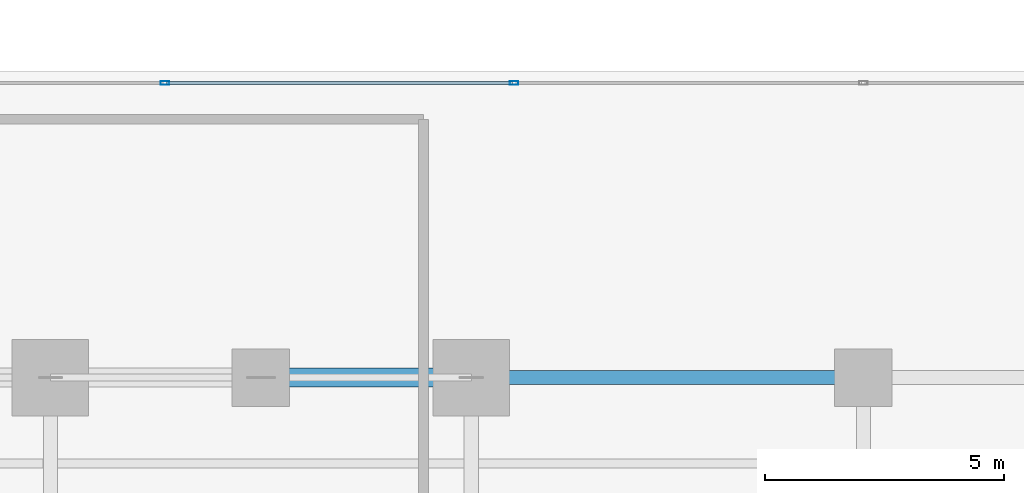
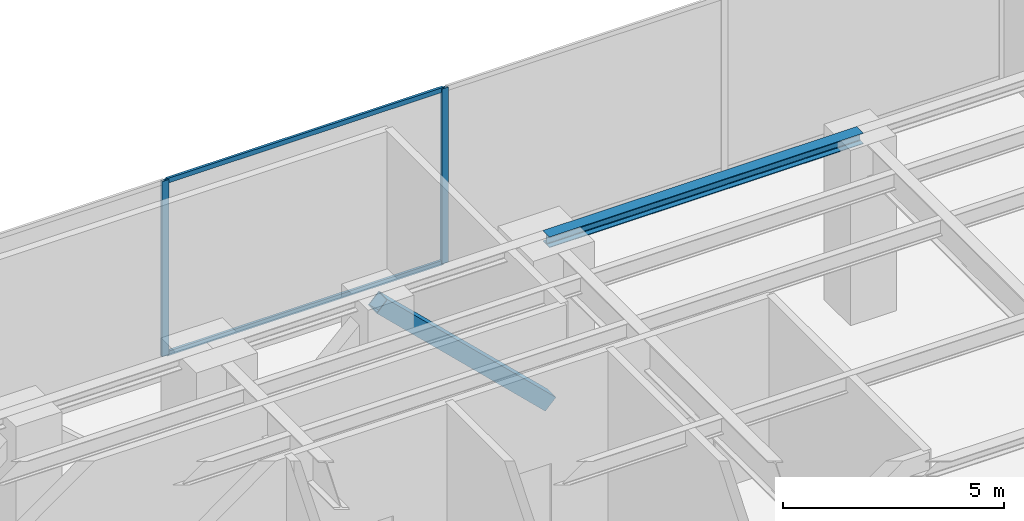
# One storey, part 20 of 36: 5 members, 1 beam, 1 element without a shape of its own.
"""IFC4 building model written with IfcOpenShell, lengths in metres."""

import ifcopenshell
import ifcopenshell.guid

model = None  # the IFC model being written
_history = None  # IfcOwnerHistory: only IFC2X3 demands one
_inside = {}  # id of a spatial element -> (the spatial element, [elements in it])
_under = {}  # id of a project, library or spatial element -> (it, [spatial elements below it])
_declared = {}  # id of a project -> (the project, [libraries it declares])
_typed = {}  # id of a type object -> (the type object, [elements of that type])
_made_of = {}  # id of a material, layer set ... -> (it, [elements and type objects made of it])


def new_model(schema):
    """Start an empty IFC model of exactly this schema.

    Asked for "IFC4X3", IfcOpenShell would pick the latest addendum, in which some entities
    have other attributes; the version numbers below select the first issue.
    IFC2X3 requires an IfcOwnerHistory on every rooted entity: one is made here for all.
    """
    global model, _history
    if schema == "IFC4X3":
        model = ifcopenshell.file(schema_version=(4, 3, 0, 0))
    else:
        model = ifcopenshell.file(schema=schema)
    _inside.clear()
    _under.clear()
    _declared.clear()
    _typed.clear()
    _made_of.clear()
    _history = None
    if model.schema == "IFC2X3":
        org = make("IfcOrganization", Name="unknown")
        user = make(
            "IfcPersonAndOrganization",
            ThePerson=make("IfcPerson", FamilyName="unknown"),
            TheOrganization=org,
        )
        app = make(
            "IfcApplication",
            ApplicationDeveloper=org,
            Version="unknown",
            ApplicationFullName="unknown",
            ApplicationIdentifier="unknown",
        )
        _history = make(
            "IfcOwnerHistory",
            OwningUser=user,
            OwningApplication=app,
            ChangeAction="ADDED",
            CreationDate=0,
        )
    return model


def make(cls, **values):
    """One entity of the class cls with the attributes given. An attribute that is None is left unset."""
    return model.create_entity(
        cls, **{name: value for name, value in values.items() if value is not None}
    )


def rooted(cls, **values):
    """An entity with a GlobalId (a new one), such as an element, a storey or a relation."""
    return make(cls, GlobalId=ifcopenshell.guid.new(), OwnerHistory=_history, **values)


def si_unit(unit_type, name, prefix=None):
    """IfcSIUnit, for example si_unit("LENGTHUNIT", "METRE", prefix="MILLI")."""
    return make("IfcSIUnit", UnitType=unit_type, Prefix=prefix, Name=name)


def assignment(units):
    """IfcUnitAssignment: the units of a project."""
    return None if units is None else make("IfcUnitAssignment", Units=units)


def point(xyz):
    """IfcCartesianPoint."""
    return None if xyz is None else make("IfcCartesianPoint", Coordinates=xyz)


def direction(xyz):
    """IfcDirection."""
    return None if xyz is None else make("IfcDirection", DirectionRatios=xyz)


def frame(location, z_axis=None, x_axis=None):
    """IfcAxis2Placement3D, a coordinate frame: its origin and axes. An axis left out is left unset."""
    return make(
        "IfcAxis2Placement3D",
        Location=point(location),
        Axis=direction(z_axis),
        RefDirection=direction(x_axis),
    )


def frame_2d(location, x_axis=None):
    """IfcAxis2Placement2D, a coordinate frame in the plane: its origin and x axis."""
    return make(
        "IfcAxis2Placement2D", Location=point(location), RefDirection=direction(x_axis)
    )


def origin():
    """The frame at (0, 0, 0) with its axes left unset."""
    return frame((0.0, 0.0, 0.0))


def origin_with_axes():
    """The frame at (0, 0, 0) with the z axis (0, 0, 1) and the x axis (1, 0, 0) written out."""
    return frame((0.0, 0.0, 0.0), z_axis=(0.0, 0.0, 1.0), x_axis=(1.0, 0.0, 0.0))


def origin_2d():
    """The frame at (0, 0) in the plane with its x axis left unset."""
    return frame_2d((0.0, 0.0))


def place(relative_to, where):
    """IfcLocalPlacement: puts the frame where relative to a parent placement (None: the world)."""
    return make(
        "IfcLocalPlacement", PlacementRelTo=relative_to, RelativePlacement=where
    )


def context(
    kind, dimensions, precision=None, world=None, true_north=None, identifier=None
):
    """IfcGeometricRepresentationContext, for example the 3D "Model" context."""
    return make(
        "IfcGeometricRepresentationContext",
        ContextIdentifier=identifier,
        ContextType=kind,
        CoordinateSpaceDimension=dimensions,
        Precision=precision,
        WorldCoordinateSystem=world,
        TrueNorth=true_north,
    )


def subcontext(parent, identifier, kind, view, scale=None):
    """IfcGeometricRepresentationSubContext, for example "Body" below "Model"."""
    return make(
        "IfcGeometricRepresentationSubContext",
        ContextIdentifier=identifier,
        ContextType=kind,
        ParentContext=parent,
        TargetScale=scale,
        TargetView=view,
    )


def project(units=None, contexts=None):
    """IfcProject with its units and contexts."""
    return rooted(
        "IfcProject",
        Name="project",
        RepresentationContexts=contexts,
        UnitsInContext=assignment(units),
    )


def spatial(cls, under=None, at=None, **own):
    """A site, building, storey or space (cls), placed at a placement, below another one or the project."""
    s = rooted(cls, ObjectPlacement=at, **own)
    if under is not None:
        _under.setdefault(under.id(), (under, []))[1].append(s)
    return s


def profile(cls, at=None, kind="AREA", **sizes):
    """A parametric profile (cls). Its sizes go by their IFC names, for example OverallWidth=200.0."""
    return make(cls, ProfileType=kind, Position=at, **sizes)


def hollow_rectangle(**sizes):
    """IfcRectangleHollowProfileDef."""
    return profile("IfcRectangleHollowProfileDef", **sizes)


def i_section(**sizes):
    """IfcIShapeProfileDef."""
    return profile("IfcIShapeProfileDef", **sizes)


def extrude(swept, where, along, depth):
    """IfcExtrudedAreaSolid: the profile swept, set in the frame where, extruded along a direction by depth."""
    return make(
        "IfcExtrudedAreaSolid",
        SweptArea=swept,
        Position=where,
        ExtrudedDirection=direction(along),
        Depth=depth,
    )


def shape(context_of_items, identifier, shape_type, items):
    """IfcShapeRepresentation: the items that make up one representation, for example the "Body"."""
    return make(
        "IfcShapeRepresentation",
        ContextOfItems=context_of_items,
        RepresentationIdentifier=identifier,
        RepresentationType=shape_type,
        Items=items,
    )


def source(mapping_origin, context_of_items, identifier, shape_type, items):
    """IfcRepresentationMap: a shape defined once, which mapped items show again and again."""
    return make(
        "IfcRepresentationMap",
        MappingOrigin=mapping_origin,
        MappedRepresentation=shape(context_of_items, identifier, shape_type, items),
    )


def transform(
    local_origin,
    x_axis=None,
    y_axis=None,
    z_axis=None,
    scale=None,
    scale2=None,
    scale3=None,
    uniform=True,
):
    """IfcCartesianTransformationOperator3D, or its non-uniform kind. x_axis, y_axis, z_axis: its Axis1, 2, 3."""
    if uniform:
        return make(
            "IfcCartesianTransformationOperator3D",
            Axis1=direction(x_axis),
            Axis2=direction(y_axis),
            LocalOrigin=point(local_origin),
            Scale=scale,
            Axis3=direction(z_axis),
        )
    return make(
        "IfcCartesianTransformationOperator3DnonUniform",
        Axis1=direction(x_axis),
        Axis2=direction(y_axis),
        LocalOrigin=point(local_origin),
        Scale=scale,
        Axis3=direction(z_axis),
        Scale2=scale2,
        Scale3=scale3,
    )


def mapped(mapping_source, mapping_target):
    """IfcMappedItem: shows the shape of a source again, moved by a transform."""
    return make(
        "IfcMappedItem", MappingSource=mapping_source, MappingTarget=mapping_target
    )


def material(Name=None, Category=None):
    """IfcMaterial."""
    return make("IfcMaterial", Name=Name, Category=Category)


def layer(
    of_material, thickness, ventilated=None, Name=None, Category=None, Priority=None
):
    """IfcMaterialLayer: one layer of a wall or slab, of a material (None: an air gap)."""
    return make(
        "IfcMaterialLayer",
        Material=of_material,
        LayerThickness=thickness,
        IsVentilated=ventilated,
        Name=Name,
        Category=Category,
        Priority=Priority,
    )


def layer_set(layers, Name=None):
    """IfcMaterialLayerSet."""
    return make("IfcMaterialLayerSet", MaterialLayers=layers, LayerSetName=Name)


def material_profile(
    of_material, cross_section, Name=None, Category=None, Priority=None
):
    """IfcMaterialProfile: a cross section and its material."""
    return make(
        "IfcMaterialProfile",
        Name=Name,
        Material=of_material,
        Profile=cross_section,
        Priority=Priority,
        Category=Category,
    )


def profile_set(profiles, Name=None, composite=None):
    """IfcMaterialProfileSet."""
    return make(
        "IfcMaterialProfileSet",
        Name=Name,
        MaterialProfiles=profiles,
        CompositeProfile=composite,
    )


def made_of(thing, what):
    """Note that an element or type object is made of a material, layer set ...; save() writes the relation."""
    if what is not None:
        _made_of.setdefault(what.id(), (what, []))[1].append(thing)
    return thing


def type_object(cls, material=None, **own):
    """A type object (cls), such as IfcWallType, which elements share."""
    return made_of(rooted(cls, **own), material)


def element(
    cls,
    number,
    at=None,
    inside=None,
    cuts=None,
    type_object=None,
    material=None,
    context=None,
    identifier="Body",
    shape_type=None,
    held_by="IfcProductDefinitionShape",
    body=None,
    shapes=None,
    **own,
):
    """One element of the class cls, such as IfcWall. Its Tag is "e" and its number.

    at: its placement. inside: the storey or other place that contains it. cuts: it is an
    opening in that element (IfcRelVoidsElement). A single representation is given by context,
    identifier, shape_type and body (its items); several are given by shapes. held_by: the class
    of the entity that holds the representations. save() writes the other relations.
    """
    e = rooted(cls, Tag="e%d" % number, ObjectPlacement=at, **own)
    if body is not None:
        shapes = [shape(context, identifier, shape_type, body)]
    if shapes is not None:
        e.Representation = make(held_by, Representations=shapes)
    if inside is not None:
        _inside.setdefault(inside.id(), (inside, []))[1].append(e)
    if cuts is not None:
        rooted(
            "IfcRelVoidsElement", RelatingBuildingElement=cuts, RelatedOpeningElement=e
        )
    if type_object is not None:
        _typed.setdefault(type_object.id(), (type_object, []))[1].append(e)
    return made_of(e, material)


def aggregate(whole, parts):
    """IfcRelAggregates: a whole, such as a stair, and the parts it consists of."""
    return rooted("IfcRelAggregates", RelatingObject=whole, RelatedObjects=parts)


def save(model, path):
    """Write the relations noted so far, then the file.

    IfcRelAggregates (storeys below a building ...), IfcRelContainedInSpatialStructure (elements
    in a storey), IfcRelDefinesByType, IfcRelAssociatesMaterial and IfcRelDeclares: one each for
    every whole, place, type object, material and project.
    """
    for whole, parts in _under.values():
        aggregate(whole, parts)
    for where, things in _inside.values():
        rooted(
            "IfcRelContainedInSpatialStructure",
            RelatedElements=things,
            RelatingStructure=where,
        )
    for kind, things in _typed.values():
        rooted("IfcRelDefinesByType", RelatedObjects=things, RelatingType=kind)
    for what, things in _made_of.values():
        rooted("IfcRelAssociatesMaterial", RelatedObjects=things, RelatingMaterial=what)
    for by, libraries in _declared.values():
        rooted("IfcRelDeclares", RelatingContext=by, RelatedDefinitions=libraries)
    model.write(path)


model = new_model("IFC4")

# Units and contexts
model_context = context("Model", 3, precision=1e-05, world=origin(), true_north=direction((0.0, 1.0)))
body_context = subcontext(model_context, "Body", "Model", "MODEL_VIEW")
ifc_project = project(units=[si_unit("LENGTHUNIT", "METRE"), si_unit("AREAUNIT", "SQUARE_METRE"), si_unit("VOLUMEUNIT", "CUBIC_METRE"), si_unit("PLANEANGLEUNIT", "RADIAN"), si_unit("MASSUNIT", "GRAM", prefix="KILO")], contexts=[model_context])

# Site, building, storey
site_placement = place(None, origin())
site = spatial("IfcSite", under=ifc_project, at=site_placement, CompositionType="ELEMENT")
building_placement = place(site_placement, origin())
building = spatial("IfcBuilding", under=site, at=building_placement, Name="Kolvaren Waterfront Exchange", CompositionType="ELEMENT")
storey_placement = place(building_placement, frame((0.0, 0.0, 82.800048828125)))
storey = spatial("IfcBuildingStorey", under=building, at=storey_placement, Name="L21", CompositionType="ELEMENT", Elevation=82.800048828125)

# Beam
ifc_material_1 = material(Name="Steel S355", Category="steel")
ifc_material_profile_1 = material_profile(ifc_material_1, i_section(OverallWidth=0.300048828125, OverallDepth=0.300048828125, WebThickness=0.010986328125, FlangeThickness=0.01904296875, FilletRadius=0.027099609375, at=origin_2d()), Name="HEB300")
ifc_profile_set_1 = profile_set([ifc_material_profile_1], Name="Steel S355")
beam_type = type_object("IfcBeamType", Name="STR-BM-HEB300", PredefinedType="SPANDREL", material=ifc_profile_set_1)
beam_placement = place(storey_placement, frame((45.60009765625, 17.39990234375, 4.68994140625), z_axis=(1.0, 0.0, 0.0), x_axis=(0.0, 1.0, 0.0)))
element("IfcBeam", 1, at=beam_placement, inside=storey, type_object=beam_type, Name="L21 east-arm spandrel N4", PredefinedType="SPANDREL", context=body_context, shape_type="SweptSolid", body=[
    extrude(i_section(OverallWidth=0.300048828125, OverallDepth=0.300048828125, WebThickness=0.010986328125, FlangeThickness=0.01904296875, FilletRadius=0.027099609375, at=origin_2d()), origin(), (0.0, 0.0, 1.0), 8.199951171875),
])

# Member
ifc_material_2 = material(Name="Steel S460", Category="steel")
ifc_material_profile_2 = material_profile(ifc_material_2, hollow_rectangle(XDim=0.39990234375, YDim=0.39990234375, WallThickness=0.02001953125, at=origin_2d()), Name="SHS400x400x20")
ifc_profile_set_2 = profile_set([ifc_material_profile_2], Name="Steel S460")
member_type_1 = type_object("IfcMemberType", Name="STR-BR-SHS400", PredefinedType="BRACE", material=ifc_profile_set_2)
member_1_placement = place(storey_placement, frame((45.60009765625, 17.39990234375, 0.25), z_axis=(-0.720090232471, 0.0, 0.693880434297), x_axis=(0.0, -1.0, 0.0)))
element("IfcMember", 2, at=member_1_placement, inside=storey, type_object=member_type_1, Name="L21 belt-truss chevron brace BT2R", PredefinedType="BRACE", context=body_context, shape_type="SweptSolid", body=[
    extrude(hollow_rectangle(XDim=0.39990234375, YDim=0.39990234375, WallThickness=0.02001953125, at=origin_2d()), origin(), (0.0, 0.0, 1.0), 6.110595703125),
])

# Curtain wall, members
ifc_material_3 = material(Name="Anodised dark bronze spandrel aluminium", Category="aluminium")
ifc_layer = layer(ifc_material_3, 0.219970703125, Name="Anodised dark bronze spandrel aluminium")
ifc_layer_set = layer_set([ifc_layer], Name="Anodised dark bronze spandrel aluminium")
curtain_wall_type = type_object("IfcCurtainWallType", Name="ARC-CW-SYS6", PredefinedType="USERDEFINED", material=ifc_layer_set)
curtain_wall_placement = place(storey_placement, origin())
curtain_wall = element("IfcCurtainWall", 3, at=curtain_wall_placement, inside=storey, type_object=curtain_wall_type, Name="L21 stick curtain wall CW6 (CW-L21-EN)", ObjectType="STICK CURTAIN WALL", PredefinedType="USERDEFINED")
ifc_material_4 = material(Name="Anodised bronze aluminium 6063-T6", Category="aluminium")
ifc_material_profile_3 = material_profile(ifc_material_4, hollow_rectangle(XDim=0.074951171875, YDim=0.179931640625, WallThickness=0.00439453125, at=origin_2d()), Name="ALU-MUL-180x75x4.5")
ifc_profile_set_3 = profile_set([ifc_material_profile_3], Name="Anodised bronze aluminium 6063-T6")
member_type_2 = type_object("IfcMemberType", Name="ARC-CWM-180", PredefinedType="MULLION", material=ifc_profile_set_3)
shared_shape_1 = source(origin_with_axes(), body_context, "Body", "SweptSolid", [
    extrude(hollow_rectangle(XDim=0.074951171875, YDim=0.179931640625, WallThickness=0.00439453125, at=origin_2d()), origin(), (0.0, 0.0, 1.0), 4.83984375),
])
member_2_placement = place(storey_placement, frame((39.1923828125, 23.56005859375, 0.0), z_axis=(0.0, 0.0, 1.0), x_axis=(0.0, 1.0, 0.0)))
member_2 = element("IfcMember", 4, at=member_2_placement, type_object=member_type_2, Name="CW6 mullion 2", PredefinedType="MULLION", context=body_context, shape_type="MappedRepresentation", body=[
    mapped(shared_shape_1, transform((0.0, 0.0, 0.0), x_axis=(1.0, 0.0, 0.0), y_axis=(0.0, 1.0, 0.0), z_axis=(0.0, 0.0, 1.0), scale=1.0)),
])
member_3_placement = place(storey_placement, frame((46.4951171875, 23.56005859375, 0.0), z_axis=(0.0, 0.0, 1.0), x_axis=(0.0, 1.0, 0.0)))
member_3 = element("IfcMember", 5, at=member_3_placement, type_object=member_type_2, Name="CW6 mullion 3", PredefinedType="MULLION", context=body_context, shape_type="MappedRepresentation", body=[
    mapped(shared_shape_1, transform((0.0, 0.0, 0.0), x_axis=(1.0, 0.0, 0.0), y_axis=(0.0, 1.0, 0.0), z_axis=(0.0, 0.0, 1.0), scale=1.0)),
])
ifc_material_profile_4 = material_profile(ifc_material_4, hollow_rectangle(XDim=0.06494140625, YDim=0.1298828125, WallThickness=0.00390625, at=origin_2d()), Name="ALU-TRN-130x65x4")
ifc_profile_set_4 = profile_set([ifc_material_profile_4], Name="Anodised bronze aluminium 6063-T6")
member_type_3 = type_object("IfcMemberType", Name="ARC-CWT-130", PredefinedType="USERDEFINED", material=ifc_profile_set_4)
shared_shape_2 = source(origin_with_axes(), body_context, "Body", "SweptSolid", [
    extrude(hollow_rectangle(XDim=0.06494140625, YDim=0.1298828125, WallThickness=0.00390625, at=origin_2d()), origin(), (0.0, 0.0, 1.0), 7.2275390625),
])
member_4_placement = place(storey_placement, frame((39.22998046875, 23.56005859375, 0.032470703125), z_axis=(1.0, 0.0, 0.0), x_axis=(0.0, 1.0, 0.0)))
member_4 = element("IfcMember", 6, at=member_4_placement, type_object=member_type_3, Name="CW6 transom 2.1", ObjectType="TRANSOM", PredefinedType="USERDEFINED", context=body_context, shape_type="MappedRepresentation", body=[
    mapped(shared_shape_2, transform((0.0, 0.0, 0.0), x_axis=(1.0, 0.0, 0.0), y_axis=(0.0, 1.0, 0.0), z_axis=(0.0, 0.0, 1.0), scale=1.0)),
])
member_5_placement = place(storey_placement, frame((39.22998046875, 23.56005859375, 4.807373046875), z_axis=(1.0, 0.0, 0.0), x_axis=(0.0, 1.0, 0.0)))
member_5 = element("IfcMember", 7, at=member_5_placement, type_object=member_type_3, Name="CW6 transom 2.2", ObjectType="TRANSOM", PredefinedType="USERDEFINED", context=body_context, shape_type="MappedRepresentation", body=[
    mapped(shared_shape_2, transform((0.0, 0.0, 0.0), x_axis=(1.0, 0.0, 0.0), y_axis=(0.0, 1.0, 0.0), z_axis=(0.0, 0.0, 1.0), scale=1.0)),
])
aggregate(curtain_wall, [member_2, member_3, member_4, member_5])

save(model, "model.ifc")
